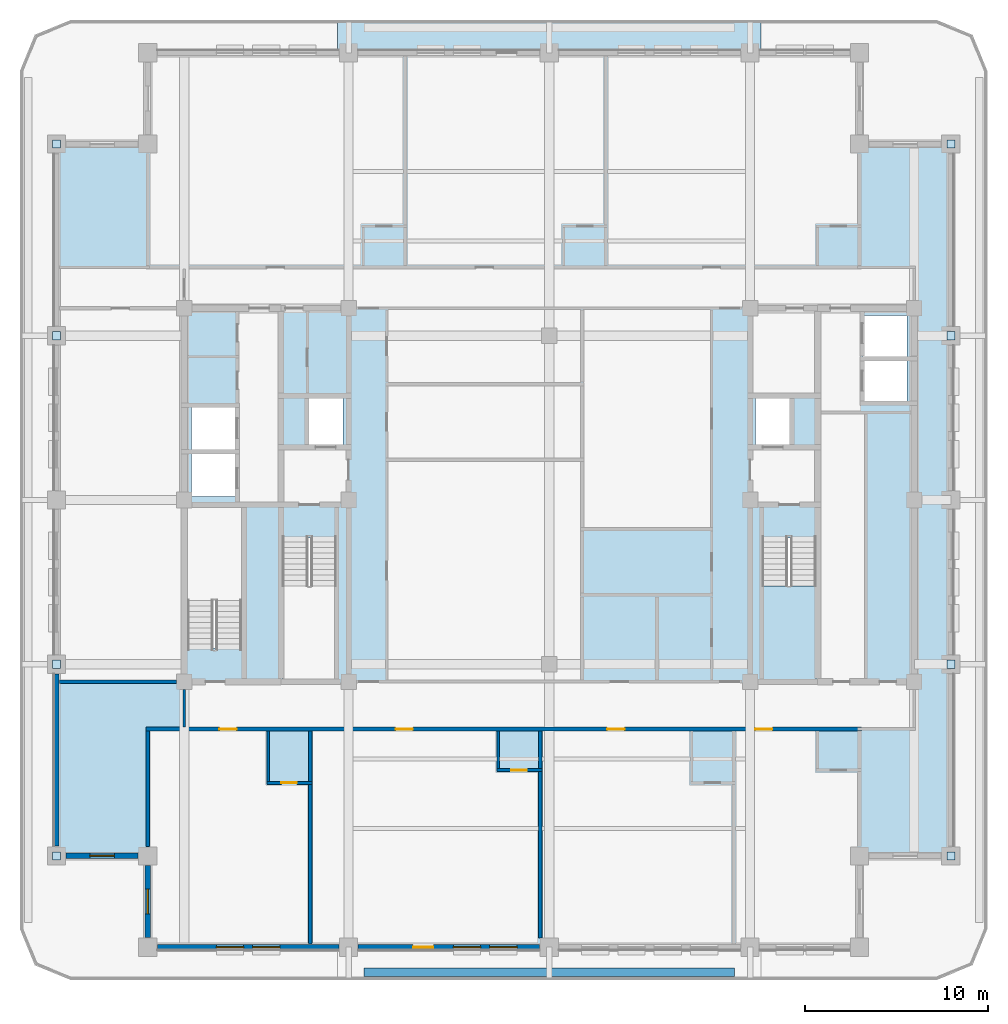
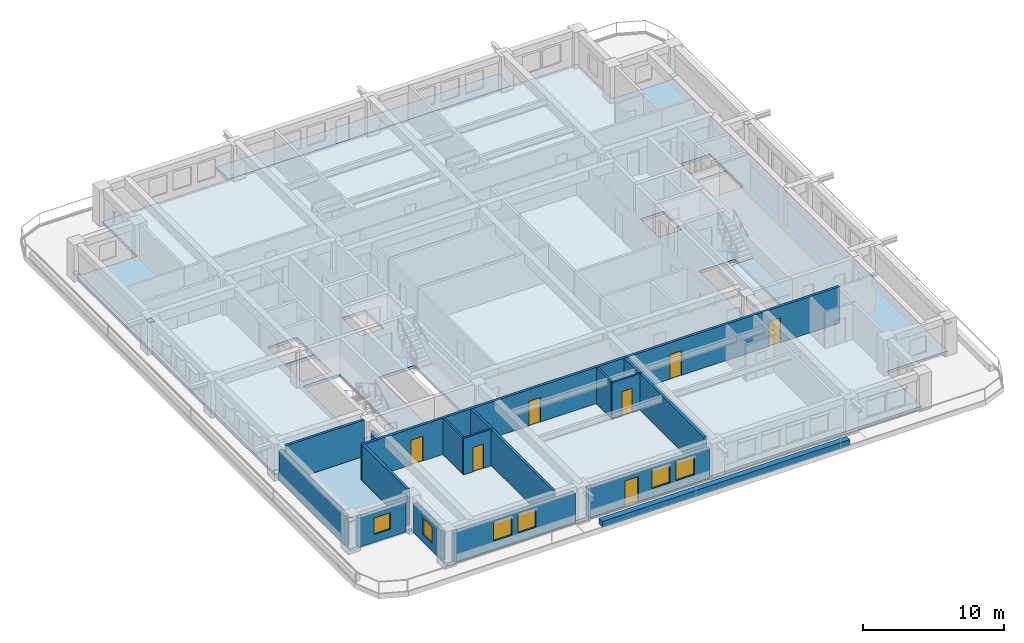
# One storey, part 2 of 14: 18 walls, 8 plates, 7 doors, 6 windows, 3 slabs, 13 openings, 1 element without a shape of its own.
"""IFC4 building model written with IfcOpenShell, lengths in metres."""

import ifcopenshell
import ifcopenshell.guid

model = None  # the IFC model being written
_history = None  # IfcOwnerHistory: only IFC2X3 demands one
_inside = {}  # id of a spatial element -> (the spatial element, [elements in it])
_under = {}  # id of a project, library or spatial element -> (it, [spatial elements below it])
_declared = {}  # id of a project -> (the project, [libraries it declares])
_typed = {}  # id of a type object -> (the type object, [elements of that type])
_made_of = {}  # id of a material, layer set ... -> (it, [elements and type objects made of it])


def new_model(schema):
    """Start an empty IFC model of exactly this schema.

    Asked for "IFC4X3", IfcOpenShell would pick the latest addendum, in which some entities
    have other attributes; the version numbers below select the first issue.
    IFC2X3 requires an IfcOwnerHistory on every rooted entity: one is made here for all.
    """
    global model, _history
    if schema == "IFC4X3":
        model = ifcopenshell.file(schema_version=(4, 3, 0, 0))
    else:
        model = ifcopenshell.file(schema=schema)
    _inside.clear()
    _under.clear()
    _declared.clear()
    _typed.clear()
    _made_of.clear()
    _history = None
    if model.schema == "IFC2X3":
        org = make("IfcOrganization", Name="unknown")
        user = make(
            "IfcPersonAndOrganization",
            ThePerson=make("IfcPerson", FamilyName="unknown"),
            TheOrganization=org,
        )
        app = make(
            "IfcApplication",
            ApplicationDeveloper=org,
            Version="unknown",
            ApplicationFullName="unknown",
            ApplicationIdentifier="unknown",
        )
        _history = make(
            "IfcOwnerHistory",
            OwningUser=user,
            OwningApplication=app,
            ChangeAction="ADDED",
            CreationDate=0,
        )
    return model


def make(cls, **values):
    """One entity of the class cls with the attributes given. An attribute that is None is left unset."""
    return model.create_entity(
        cls, **{name: value for name, value in values.items() if value is not None}
    )


def rooted(cls, **values):
    """An entity with a GlobalId (a new one), such as an element, a storey or a relation."""
    return make(cls, GlobalId=ifcopenshell.guid.new(), OwnerHistory=_history, **values)


def si_unit(unit_type, name, prefix=None):
    """IfcSIUnit, for example si_unit("LENGTHUNIT", "METRE", prefix="MILLI")."""
    return make("IfcSIUnit", UnitType=unit_type, Prefix=prefix, Name=name)


def assignment(units):
    """IfcUnitAssignment: the units of a project."""
    return None if units is None else make("IfcUnitAssignment", Units=units)


def point(xyz):
    """IfcCartesianPoint."""
    return None if xyz is None else make("IfcCartesianPoint", Coordinates=xyz)


def direction(xyz):
    """IfcDirection."""
    return None if xyz is None else make("IfcDirection", DirectionRatios=xyz)


def frame(location, z_axis=None, x_axis=None):
    """IfcAxis2Placement3D, a coordinate frame: its origin and axes. An axis left out is left unset."""
    return make(
        "IfcAxis2Placement3D",
        Location=point(location),
        Axis=direction(z_axis),
        RefDirection=direction(x_axis),
    )


def frame_2d(location, x_axis=None):
    """IfcAxis2Placement2D, a coordinate frame in the plane: its origin and x axis."""
    return make(
        "IfcAxis2Placement2D", Location=point(location), RefDirection=direction(x_axis)
    )


def origin():
    """The frame at (0, 0, 0) with its axes left unset."""
    return frame((0.0, 0.0, 0.0))


def origin_2d():
    """The frame at (0, 0) in the plane with its x axis left unset."""
    return frame_2d((0.0, 0.0))


def place(relative_to, where):
    """IfcLocalPlacement: puts the frame where relative to a parent placement (None: the world)."""
    return make(
        "IfcLocalPlacement", PlacementRelTo=relative_to, RelativePlacement=where
    )


def context(
    kind, dimensions, precision=None, world=None, true_north=None, identifier=None
):
    """IfcGeometricRepresentationContext, for example the 3D "Model" context."""
    return make(
        "IfcGeometricRepresentationContext",
        ContextIdentifier=identifier,
        ContextType=kind,
        CoordinateSpaceDimension=dimensions,
        Precision=precision,
        WorldCoordinateSystem=world,
        TrueNorth=true_north,
    )


def subcontext(parent, identifier, kind, view, scale=None):
    """IfcGeometricRepresentationSubContext, for example "Body" below "Model"."""
    return make(
        "IfcGeometricRepresentationSubContext",
        ContextIdentifier=identifier,
        ContextType=kind,
        ParentContext=parent,
        TargetScale=scale,
        TargetView=view,
    )


def project(units=None, contexts=None):
    """IfcProject with its units and contexts."""
    return rooted(
        "IfcProject",
        Name="project",
        RepresentationContexts=contexts,
        UnitsInContext=assignment(units),
    )


def spatial(cls, under=None, at=None, **own):
    """A site, building, storey or space (cls), placed at a placement, below another one or the project."""
    s = rooted(cls, ObjectPlacement=at, **own)
    if under is not None:
        _under.setdefault(under.id(), (under, []))[1].append(s)
    return s


def polyline(points):
    """IfcPolyline through the points."""
    return make("IfcPolyline", Points=[point(p) for p in points])


def profile(cls, at=None, kind="AREA", **sizes):
    """A parametric profile (cls). Its sizes go by their IFC names, for example OverallWidth=200.0."""
    return make(cls, ProfileType=kind, Position=at, **sizes)


def rectangle(**sizes):
    """IfcRectangleProfileDef."""
    return profile("IfcRectangleProfileDef", **sizes)


def outline(outer, holes=None, kind="AREA"):
    """IfcArbitraryClosedProfileDef: a profile drawn as a closed curve; with holes, ...WithVoids."""
    if holes is None:
        return make("IfcArbitraryClosedProfileDef", ProfileType=kind, OuterCurve=outer)
    return make(
        "IfcArbitraryProfileDefWithVoids",
        ProfileType=kind,
        OuterCurve=outer,
        InnerCurves=holes,
    )


def extrude(swept, where, along, depth):
    """IfcExtrudedAreaSolid: the profile swept, set in the frame where, extruded along a direction by depth."""
    return make(
        "IfcExtrudedAreaSolid",
        SweptArea=swept,
        Position=where,
        ExtrudedDirection=direction(along),
        Depth=depth,
    )


def shape(context_of_items, identifier, shape_type, items):
    """IfcShapeRepresentation: the items that make up one representation, for example the "Body"."""
    return make(
        "IfcShapeRepresentation",
        ContextOfItems=context_of_items,
        RepresentationIdentifier=identifier,
        RepresentationType=shape_type,
        Items=items,
    )


def material(Name=None, Category=None):
    """IfcMaterial."""
    return make("IfcMaterial", Name=Name, Category=Category)


def layer(
    of_material, thickness, ventilated=None, Name=None, Category=None, Priority=None
):
    """IfcMaterialLayer: one layer of a wall or slab, of a material (None: an air gap)."""
    return make(
        "IfcMaterialLayer",
        Material=of_material,
        LayerThickness=thickness,
        IsVentilated=ventilated,
        Name=Name,
        Category=Category,
        Priority=Priority,
    )


def layer_set(layers, Name=None):
    """IfcMaterialLayerSet."""
    return make("IfcMaterialLayerSet", MaterialLayers=layers, LayerSetName=Name)


def made_of(thing, what):
    """Note that an element or type object is made of a material, layer set ...; save() writes the relation."""
    if what is not None:
        _made_of.setdefault(what.id(), (what, []))[1].append(thing)
    return thing


def type_object(cls, material=None, **own):
    """A type object (cls), such as IfcWallType, which elements share."""
    return made_of(rooted(cls, **own), material)


def element(
    cls,
    number,
    at=None,
    inside=None,
    cuts=None,
    type_object=None,
    material=None,
    context=None,
    identifier="Body",
    shape_type=None,
    held_by="IfcProductDefinitionShape",
    body=None,
    shapes=None,
    **own,
):
    """One element of the class cls, such as IfcWall. Its Tag is "e" and its number.

    at: its placement. inside: the storey or other place that contains it. cuts: it is an
    opening in that element (IfcRelVoidsElement). A single representation is given by context,
    identifier, shape_type and body (its items); several are given by shapes. held_by: the class
    of the entity that holds the representations. save() writes the other relations.
    """
    e = rooted(cls, Tag="e%d" % number, ObjectPlacement=at, **own)
    if body is not None:
        shapes = [shape(context, identifier, shape_type, body)]
    if shapes is not None:
        e.Representation = make(held_by, Representations=shapes)
    if inside is not None:
        _inside.setdefault(inside.id(), (inside, []))[1].append(e)
    if cuts is not None:
        rooted(
            "IfcRelVoidsElement", RelatingBuildingElement=cuts, RelatedOpeningElement=e
        )
    if type_object is not None:
        _typed.setdefault(type_object.id(), (type_object, []))[1].append(e)
    return made_of(e, material)


def fill(opening, filler):
    """IfcRelFillsElement: the door or window that sits in an opening."""
    return rooted(
        "IfcRelFillsElement",
        RelatingOpeningElement=opening,
        RelatedBuildingElement=filler,
    )


def aggregate(whole, parts):
    """IfcRelAggregates: a whole, such as a stair, and the parts it consists of."""
    return rooted("IfcRelAggregates", RelatingObject=whole, RelatedObjects=parts)


def save(model, path):
    """Write the relations noted so far, then the file.

    IfcRelAggregates (storeys below a building ...), IfcRelContainedInSpatialStructure (elements
    in a storey), IfcRelDefinesByType, IfcRelAssociatesMaterial and IfcRelDeclares: one each for
    every whole, place, type object, material and project.
    """
    for whole, parts in _under.values():
        aggregate(whole, parts)
    for where, things in _inside.values():
        rooted(
            "IfcRelContainedInSpatialStructure",
            RelatedElements=things,
            RelatingStructure=where,
        )
    for kind, things in _typed.values():
        rooted("IfcRelDefinesByType", RelatedObjects=things, RelatingType=kind)
    for what, things in _made_of.values():
        rooted("IfcRelAssociatesMaterial", RelatedObjects=things, RelatingMaterial=what)
    for by, libraries in _declared.values():
        rooted("IfcRelDeclares", RelatingContext=by, RelatedDefinitions=libraries)
    model.write(path)


model = new_model("IFC4")

# Units and contexts
model_context = context("Model", 3, precision=1e-05, world=origin(), true_north=direction((0.0, 1.0)))
body_context = subcontext(model_context, "Body", "Model", "MODEL_VIEW")
ifc_project = project(units=[si_unit("LENGTHUNIT", "METRE"), si_unit("AREAUNIT", "SQUARE_METRE"), si_unit("VOLUMEUNIT", "CUBIC_METRE"), si_unit("PLANEANGLEUNIT", "RADIAN"), si_unit("MASSUNIT", "GRAM", prefix="KILO")], contexts=[model_context])

# Site, building, storey
site_placement = place(None, origin())
site = spatial("IfcSite", under=ifc_project, at=site_placement, CompositionType="ELEMENT")
building_placement = place(site_placement, origin())
building = spatial("IfcBuilding", under=site, at=building_placement, Name="Zulmaris Gate Convention Tower", CompositionType="ELEMENT")
storey_placement = place(building_placement, frame((0.0, 0.0, 198.260009765625)))
storey = spatial("IfcBuildingStorey", under=building, at=storey_placement, Name="L51", CompositionType="ELEMENT", Elevation=198.260009765625)

# Plates
ifc_material_1 = material(Name="Steel S460", Category="steel")
ifc_layer_1 = layer(ifc_material_1, 0.02490234375, Name="Steel S460")
ifc_layer_set_1 = layer_set([ifc_layer_1], Name="Steel S460")
plate_type = type_object("IfcPlateType", Name="NP-CAP-440", PredefinedType="USERDEFINED", material=ifc_layer_set_1)
for number, where, z_axis, x_axis, name in (
    (1, (-27.0, -9.0, 0.28759765625), (0.0, 0.0, 1.0), (1.0, 0.0, 0.0), "L51 Steel Node Plate PBR-L51-SW-W-CAP"),
    (2, (-27.0, -19.5, 2.517333984375), (0.0, 0.0, 1.0), (1.0, 0.0, 0.0), "L51 Steel Node Plate PBR-L51-SW-W-CAPB"),
    (3, (-27.0, 19.5, 0.28759765625), (0.0, 0.0, 1.0), (1.0, 0.0, 0.0), "L51 Steel Node Plate PBR-L51-NW-W-CAP"),
    (4, (-27.0, 9.0, 2.517333984375), (0.0, 0.0, 1.0), (1.0, 0.0, 0.0), "L51 Steel Node Plate PBR-L51-NW-W-CAPB"),
    (5, (22.0, -9.0, 0.28759765625), (0.0, 0.0, 1.0), (1.0, 0.0, 0.0), "L51 Steel Node Plate PBR-L51-SE-E-CAP"),
    (6, (22.0, -19.5, 2.517333984375), (0.0, 0.0, 1.0), (1.0, 0.0, 0.0), "L51 Steel Node Plate PBR-L51-SE-E-CAPB"),
    (7, (22.0, 19.5, 0.28759765625), (0.0, 0.0, 1.0), (1.0, 0.0, 0.0), "L51 Steel Node Plate PBR-L51-NE-E-CAP"),
    (8, (22.0, 9.0, 2.517333984375), (0.0, 0.0, 1.0), (1.0, 0.0, 0.0), "L51 Steel Node Plate PBR-L51-NE-E-CAPB"),
):
    element("IfcPlate", number, at=place(storey_placement, frame(where, z_axis=z_axis, x_axis=x_axis)), inside=storey, type_object=plate_type, Name=name, ObjectType="FLANGE PLATE", PredefinedType="USERDEFINED", context=body_context, shape_type="SweptSolid", body=[
        extrude(rectangle(XDim=0.43994140625, YDim=0.43994140625, at=origin_2d()), origin(), (0.0, 0.0, 1.0), 0.02490234375),
    ])

# Slabs
ifc_material_2 = material(Name="Precast concrete C50/60", Category="concrete")
ifc_layer_2 = layer(ifc_material_2, 0.239990234375, Name="Precast concrete C50/60")
ifc_layer_set_2 = layer_set([ifc_layer_2], Name="Precast concrete C50/60")
slab_type_1 = type_object("IfcSlabType", Name="SL-BAL-240", PredefinedType="FLOOR", material=ifc_layer_set_2)
slab_1_placement = place(storey_placement, frame((0.0, 0.0, -0.27490234375)))
element("IfcSlab", 9, at=slab_1_placement, inside=storey, type_object=slab_type_1, Name="L51 North Tree-Balcony Planter Slab", PredefinedType="FLOOR", context=body_context, shape_type="SweptSolid", body=[
    extrude(outline(polyline([(11.597900390625, 26.300048828125), (11.597900390625, 24.5), (-11.597900390625, 24.5), (-11.597900390625, 26.300048828125), (11.597900390625, 26.300048828125)])), origin(), (0.0, 0.0, 1.0), 0.239990234375),
])
ifc_material_3 = material(Name="Concrete C50/60", Category="concrete")
ifc_layer_3 = layer(ifc_material_3, 0.25, Name="Concrete C50/60")
ifc_layer_set_3 = layer_set([ifc_layer_3], Name="Concrete C50/60")
slab_type_2 = type_object("IfcSlabType", Name="SL-FLR-250", PredefinedType="FLOOR", material=ifc_layer_set_3)
slab_2_placement = place(storey_placement, frame((0.0, 0.0, -0.25)))
element("IfcSlab", 10, at=slab_2_placement, inside=storey, type_object=slab_type_2, Name="L51 Shifted Notched-Square Structural Floor Slab", PredefinedType="FLOOR", context=body_context, shape_type="SweptSolid", body=[
    extrude(outline(polyline([(-22.0, -24.5), (17.0, -24.5), (17.0, -19.5), (22.0, -19.5), (22.0, 19.5), (17.0, 19.5), (17.0, 24.5), (-22.0, 24.5), (-22.0, 19.5), (-27.0, 19.5), (-27.0, -19.5), (-22.0, -19.5), (-22.0, -24.5)]), holes=[polyline([(-14.6201171875, -2.080078125), (-14.6201171875, -9.85009765625), (-11.659912109375, -9.85009765625), (-11.659912109375, -2.080078125), (-14.6201171875, -2.080078125)]), polyline([(11.659912109375, -2.080078125), (11.659912109375, -9.85009765625), (14.6201171875, -9.85009765625), (14.6201171875, -2.080078125), (11.659912109375, -2.080078125)]), polyline([(-16.860107421875, -8.1201171875), (-16.860107421875, -0.35009765625), (-19.820068359375, -0.35009765625), (-19.820068359375, -8.1201171875), (-16.860107421875, -8.1201171875)]), polyline([(-13.199951171875, 3.0), (-11.300048828125, 3.0), (-11.300048828125, 5.60009765625), (-13.199951171875, 5.60009765625), (-13.199951171875, 3.0)]), polyline([(11.300048828125, 3.0), (13.199951171875, 3.0), (13.199951171875, 5.60009765625), (11.300048828125, 5.60009765625), (11.300048828125, 3.0)]), polyline([(17.199951171875, 5.39990234375), (19.60009765625, 5.39990234375), (19.60009765625, 7.699951171875), (17.199951171875, 7.699951171875), (17.199951171875, 5.39990234375)]), polyline([(17.199951171875, 7.800048828125), (19.60009765625, 7.800048828125), (19.60009765625, 10.10009765625), (17.199951171875, 10.10009765625), (17.199951171875, 7.800048828125)]), polyline([(-19.60009765625, 0.199951171875), (-17.199951171875, 0.199951171875), (-17.199951171875, 2.60009765625), (-19.60009765625, 2.60009765625), (-19.60009765625, 0.199951171875)]), polyline([(-19.60009765625, 2.699951171875), (-17.199951171875, 2.699951171875), (-17.199951171875, 5.10009765625), (-19.60009765625, 5.10009765625), (-19.60009765625, 2.699951171875)])]), origin(), (0.0, 0.0, 1.0), 0.25),
])

# Stair, slab
ifc_material_4 = material(Name="Concrete C45/55", Category="concrete")
stair_type = type_object("IfcStairType", Name="ST-CORE-DOGLEG", PredefinedType="HALF_TURN_STAIR", material=ifc_material_4)
stair_placement = place(storey_placement, origin())
stair = element("IfcStair", 11, at=stair_placement, inside=storey, type_object=stair_type, Name="L51 Core Exit Stair ST-2", PredefinedType="HALF_TURN_STAIR")
ifc_layer_4 = layer(ifc_material_4, 0.199951171875, Name="Concrete C45/55")
ifc_layer_set_4 = layer_set([ifc_layer_4], Name="Concrete C45/55")
slab_type_3 = type_object("IfcSlabType", Name="SL-LND-200", PredefinedType="LANDING", material=ifc_layer_set_4)
slab_3_placement = place(storey_placement, frame((0.0, 0.0, 1.5)))
slab_3 = element("IfcSlab", 12, at=slab_3_placement, type_object=slab_type_3, Name="ST-2 landing 1", PredefinedType="LANDING", context=body_context, shape_type="SweptSolid", body=[
    extrude(outline(polyline([(11.659912109375, -4.699951171875), (11.659912109375, -9.85009765625), (14.6201171875, -9.85009765625), (14.6201171875, -4.699951171875), (11.659912109375, -4.699951171875)])), origin(), (0.0, 0.0, 1.0), 0.199951171875),
])
aggregate(stair, [slab_3])

# Wall, opening, door
ifc_material_5 = material(Name="Gypsum Metal Stud Partition")
ifc_layer_5 = layer(ifc_material_5, 0.14990234375, Name="Gypsum Metal Stud Partition")
ifc_layer_set_5 = layer_set([ifc_layer_5], Name="Gypsum Metal Stud Partition")
wall_type_1 = type_object("IfcWallType", Name="PART-150", PredefinedType="PARTITIONING", material=ifc_layer_set_5)
wall_1_placement = place(storey_placement, frame((-15.47509765625, -15.5, 0.0), z_axis=(0.0, 0.0, 1.0), x_axis=(1.0, 0.0, 0.0)))
wall_1 = element("IfcWall", 13, at=wall_1_placement, inside=storey, type_object=wall_type_1, Name="WL-L51-019", PredefinedType="PARTITIONING", context=body_context, shape_type="SweptSolid", body=[
    extrude(rectangle(XDim=2.47509765625, YDim=0.14990234375, at=frame_2d((1.237548828125, 0.0))), origin(), (0.0, 0.0, 1.0), 3.14990234375),
])
opening_1_placement = place(wall_1_placement, frame((0.800048828125, 0.0, 0.0)))
opening_1 = element("IfcOpeningElement", 14, at=opening_1_placement, cuts=wall_1, Name="Opening D-17", PredefinedType="OPENING", context=body_context, shape_type="SweptSolid", body=[
    extrude(rectangle(XDim=0.85009765625, YDim=2.10009765625, at=frame_2d((0.425048828125, 1.050048828125))), frame((0.0, 0.0849609375, 0.0), z_axis=(0.0, -1.0, 0.0), x_axis=(1.0, 0.0, 0.0)), (0.0, 0.0, 1.0), 0.169921875),
])
ifc_material_6 = material(Name="Moisture-Resistant Hardwood Timber", Category="wood")
door_type_1 = type_object("IfcDoorType", Name="DR-850", OperationType="NOTDEFINED", PredefinedType="DOOR", material=ifc_material_6)
door_1_placement = place(opening_1_placement, origin())
door_1 = element("IfcDoor", 15, at=door_1_placement, inside=storey, type_object=door_type_1, Name="L51 En-Suite Door 32", OperationType="SINGLE_SWING_LEFT", OverallHeight=2.10009765625, OverallWidth=0.85009765625, PredefinedType="DOOR", context=body_context, shape_type="SweptSolid", body=[
    extrude(rectangle(XDim=0.85009765625, YDim=2.10009765625, at=frame_2d((0.425048828125, 1.050048828125))), frame((0.0, 0.02490234375, 0.0), z_axis=(0.0, -1.0, 0.0), x_axis=(1.0, 0.0, 0.0)), (0.0, 0.0, 1.0), 0.050048828125),
])
fill(opening_1, door_1)

wall_2_placement = place(storey_placement, frame((-2.875, -14.800048828125, 0.0), z_axis=(0.0, 0.0, 1.0), x_axis=(1.0, 0.0, 0.0)))
wall_2 = element("IfcWall", 16, at=wall_2_placement, inside=storey, type_object=wall_type_1, Name="WL-L51-021", PredefinedType="PARTITIONING", context=body_context, shape_type="SweptSolid", body=[
    extrude(rectangle(XDim=2.47509765625, YDim=0.14990234375, at=frame_2d((1.237548828125, 0.0))), origin(), (0.0, 0.0, 1.0), 3.14990234375),
])
opening_2_placement = place(wall_2_placement, frame((0.800048828125, 0.0, 0.0)))
opening_2 = element("IfcOpeningElement", 17, at=opening_2_placement, cuts=wall_2, Name="Opening D-17", PredefinedType="OPENING", context=body_context, shape_type="SweptSolid", body=[
    extrude(rectangle(XDim=0.85009765625, YDim=2.10009765625, at=frame_2d((0.425048828125, 1.050048828125))), frame((0.0, 0.0849609375, 0.0), z_axis=(0.0, -1.0, 0.0), x_axis=(1.0, 0.0, 0.0)), (0.0, 0.0, 1.0), 0.169921875),
])
door_2_placement = place(opening_2_placement, origin())
door_2 = element("IfcDoor", 18, at=door_2_placement, inside=storey, type_object=door_type_1, Name="L51 En-Suite Door 34", OperationType="SINGLE_SWING_LEFT", OverallHeight=2.10009765625, OverallWidth=0.85009765625, PredefinedType="DOOR", context=body_context, shape_type="SweptSolid", body=[
    extrude(rectangle(XDim=0.85009765625, YDim=2.10009765625, at=frame_2d((0.425048828125, 1.050048828125))), frame((0.0, 0.02490234375, 0.0), z_axis=(0.0, -1.0, 0.0), x_axis=(1.0, 0.0, 0.0)), (0.0, 0.0, 1.0), 0.050048828125),
])
fill(opening_2, door_2)

# Walls
wall_3_placement = place(storey_placement, frame((-20.0, -12.447021484375, 0.0), z_axis=(0.0, 0.0, 1.0), x_axis=(0.0, 1.0, 0.0)))
element("IfcWall", 19, at=wall_3_placement, inside=storey, type_object=wall_type_1, Name="WL-L51-075", PredefinedType="PARTITIONING", context=body_context, shape_type="SweptSolid", body=[
    extrude(rectangle(XDim=2.06591796875, YDim=0.14990234375, at=frame_2d((1.032958984375, 0.0))), origin(), (0.0, 0.0, 1.0), 2.341796875),
])
wall_4_placement = place(storey_placement, frame((-15.39990234375, -15.422119140625, 0.0), z_axis=(0.0, 0.0, 1.0), x_axis=(0.0, 1.0, 0.0)))
element("IfcWall", 20, at=wall_4_placement, inside=storey, type_object=wall_type_1, Name="WL-L51-079", PredefinedType="PARTITIONING", context=body_context, shape_type="SweptSolid", body=[
    extrude(rectangle(XDim=2.76904296875, YDim=0.14990234375, at=frame_2d((1.384521484375, 0.0))), origin(), (0.0, 0.0, 1.0), 3.14990234375),
])
wall_5_placement = place(storey_placement, frame((-2.800048828125, -14.721923828125, 0.0), z_axis=(0.0, 0.0, 1.0), x_axis=(0.0, 1.0, 0.0)))
element("IfcWall", 21, at=wall_5_placement, inside=storey, type_object=wall_type_1, Name="WL-L51-089", PredefinedType="PARTITIONING", context=body_context, shape_type="SweptSolid", body=[
    extrude(rectangle(XDim=2.06884765625, YDim=0.14990234375, at=frame_2d((1.034423828125, 0.0))), origin(), (0.0, 0.0, 1.0), 3.14990234375),
])

# Wall, openings, doors
ifc_material_7 = material(Name="Autoclaved Aerated Concrete Block and Plasterboard", Category="concrete")
ifc_layer_6 = layer(ifc_material_7, 0.199951171875, Name="Autoclaved Aerated Concrete Block and Plasterboard")
ifc_layer_set_6 = layer_set([ifc_layer_6], Name="Autoclaved Aerated Concrete Block and Plasterboard")
wall_type_2 = type_object("IfcWallType", Name="PART-200", PredefinedType="PARTITIONING", material=ifc_layer_set_6)
wall_6_placement = place(storey_placement, frame((-22.10009765625, -12.550048828125, 0.0), z_axis=(0.0, 0.0, 1.0), x_axis=(1.0, 0.0, 0.0)))
wall_6 = element("IfcWall", 22, at=wall_6_placement, inside=storey, type_object=wall_type_2, Name="WL-L51-023", PredefinedType="PARTITIONING", context=body_context, shape_type="SweptSolid", body=[
    extrude(rectangle(XDim=39.2001953125, YDim=0.199951171875, at=frame_2d((19.60009765625, 0.0))), origin(), (0.0, 0.0, 1.0), 3.14990234375),
])
opening_3_placement = place(wall_6_placement, frame((4.02490234375, 0.0, 0.0)))
opening_3 = element("IfcOpeningElement", 23, at=opening_3_placement, cuts=wall_6, Name="Opening D-11", PredefinedType="OPENING", context=body_context, shape_type="SweptSolid", body=[
    extrude(rectangle(XDim=0.949951171875, YDim=2.14990234375, at=frame_2d((0.47509765625, 1.074951171875))), frame((0.0, 0.10986328125, 0.0), z_axis=(0.0, -1.0, 0.0), x_axis=(1.0, 0.0, 0.0)), (0.0, 0.0, 1.0), 0.219970703125),
])
opening_4_placement = place(wall_6_placement, frame((13.675048828125, 0.0, 0.0)))
opening_4 = element("IfcOpeningElement", 24, at=opening_4_placement, cuts=wall_6, Name="Opening D-11", PredefinedType="OPENING", context=body_context, shape_type="SweptSolid", body=[
    extrude(rectangle(XDim=0.949951171875, YDim=2.14990234375, at=frame_2d((0.47509765625, 1.074951171875))), frame((0.0, 0.10986328125, 0.0), z_axis=(0.0, -1.0, 0.0), x_axis=(1.0, 0.0, 0.0)), (0.0, 0.0, 1.0), 0.219970703125),
])
opening_5_placement = place(wall_6_placement, frame((25.27490234375, 0.0, 0.0)))
opening_5 = element("IfcOpeningElement", 25, at=opening_5_placement, cuts=wall_6, Name="Opening D-11", PredefinedType="OPENING", context=body_context, shape_type="SweptSolid", body=[
    extrude(rectangle(XDim=0.949951171875, YDim=2.14990234375, at=frame_2d((0.47509765625, 1.074951171875))), frame((0.0, 0.10986328125, 0.0), z_axis=(0.0, -1.0, 0.0), x_axis=(1.0, 0.0, 0.0)), (0.0, 0.0, 1.0), 0.219970703125),
])
opening_6_placement = place(wall_6_placement, frame((33.375, 0.0, 0.0)))
opening_6 = element("IfcOpeningElement", 26, at=opening_6_placement, cuts=wall_6, Name="Opening D-11", PredefinedType="OPENING", context=body_context, shape_type="SweptSolid", body=[
    extrude(rectangle(XDim=0.949951171875, YDim=2.14990234375, at=frame_2d((0.47509765625, 1.074951171875))), frame((0.0, 0.10986328125, 0.0), z_axis=(0.0, -1.0, 0.0), x_axis=(1.0, 0.0, 0.0)), (0.0, 0.0, 1.0), 0.219970703125),
])
ifc_material_8 = material(Name="Fire-Rated Timber", Category="wood")
door_type_2 = type_object("IfcDoorType", Name="DR-950-FD", OperationType="NOTDEFINED", PredefinedType="DOOR", material=ifc_material_8)
door_3_placement = place(opening_3_placement, origin())
door_3 = element("IfcDoor", 27, at=door_3_placement, inside=storey, type_object=door_type_2, Name="L51 Hotel Executive Suite Door 31", OperationType="SINGLE_SWING_RIGHT", OverallHeight=2.14990234375, OverallWidth=0.949951171875, PredefinedType="DOOR", context=body_context, shape_type="SweptSolid", body=[
    extrude(rectangle(XDim=0.949951171875, YDim=2.14990234375, at=frame_2d((0.47509765625, 1.074951171875))), frame((0.0, 0.02490234375, 0.0), z_axis=(0.0, -1.0, 0.0), x_axis=(1.0, 0.0, 0.0)), (0.0, 0.0, 1.0), 0.050048828125),
])
fill(opening_3, door_3)
door_4_placement = place(opening_4_placement, origin())
door_4 = element("IfcDoor", 28, at=door_4_placement, inside=storey, type_object=door_type_2, Name="L51 Hotel Executive Suite Door 33", OperationType="SINGLE_SWING_RIGHT", OverallHeight=2.14990234375, OverallWidth=0.949951171875, PredefinedType="DOOR", context=body_context, shape_type="SweptSolid", body=[
    extrude(rectangle(XDim=0.949951171875, YDim=2.14990234375, at=frame_2d((0.47509765625, 1.074951171875))), frame((0.0, 0.02490234375, 0.0), z_axis=(0.0, -1.0, 0.0), x_axis=(1.0, 0.0, 0.0)), (0.0, 0.0, 1.0), 0.050048828125),
])
fill(opening_4, door_4)
door_5_placement = place(opening_5_placement, origin())
door_5 = element("IfcDoor", 29, at=door_5_placement, inside=storey, type_object=door_type_2, Name="L51 Hotel Executive Suite Door 35", OperationType="SINGLE_SWING_RIGHT", OverallHeight=2.14990234375, OverallWidth=0.949951171875, PredefinedType="DOOR", context=body_context, shape_type="SweptSolid", body=[
    extrude(rectangle(XDim=0.949951171875, YDim=2.14990234375, at=frame_2d((0.47509765625, 1.074951171875))), frame((0.0, 0.02490234375, 0.0), z_axis=(0.0, -1.0, 0.0), x_axis=(1.0, 0.0, 0.0)), (0.0, 0.0, 1.0), 0.050048828125),
])
fill(opening_5, door_5)
door_6_placement = place(opening_6_placement, origin())
door_6 = element("IfcDoor", 30, at=door_6_placement, inside=storey, type_object=door_type_2, Name="L51 Hotel Executive Suite Door 37", OperationType="SINGLE_SWING_RIGHT", OverallHeight=2.14990234375, OverallWidth=0.949951171875, PredefinedType="DOOR", context=body_context, shape_type="SweptSolid", body=[
    extrude(rectangle(XDim=0.949951171875, YDim=2.14990234375, at=frame_2d((0.47509765625, 1.074951171875))), frame((0.0, 0.02490234375, 0.0), z_axis=(0.0, -1.0, 0.0), x_axis=(1.0, 0.0, 0.0)), (0.0, 0.0, 1.0), 0.050048828125),
])
fill(opening_6, door_6)

# Walls
wall_7_placement = place(storey_placement, frame((-26.8349609375, -9.949951171875, 0.0), z_axis=(0.0, 0.0, 1.0), x_axis=(1.0, 0.0, 0.0)))
element("IfcWall", 31, at=wall_7_placement, inside=storey, type_object=wall_type_2, Name="WL-L51-025", PredefinedType="PARTITIONING", context=body_context, shape_type="SweptSolid", body=[
    extrude(rectangle(XDim=6.404052734375, YDim=0.199951171875, at=frame_2d((3.2021484375, 0.0))), origin(), (0.0, 0.0, 1.0), 3.14990234375),
])
wall_8_placement = place(storey_placement, frame((-22.0, -18.993896484375, 0.0), z_axis=(0.0, 0.0, 1.0), x_axis=(0.0, 1.0, 0.0)))
element("IfcWall", 32, at=wall_8_placement, inside=storey, type_object=wall_type_2, Name="WL-L51-073", PredefinedType="PARTITIONING", context=body_context, shape_type="SweptSolid", body=[
    extrude(rectangle(XDim=6.3408203125, YDim=0.199951171875, at=frame_2d((3.17041015625, 0.0))), origin(), (0.0, 0.0, 1.0), 3.14990234375),
])
wall_9_placement = place(storey_placement, frame((-13.10009765625, -24.3349609375, 0.0), z_axis=(0.0, 0.0, 1.0), x_axis=(0.0, 1.0, 0.0)))
element("IfcWall", 33, at=wall_9_placement, inside=storey, type_object=wall_type_2, Name="WL-L51-081", PredefinedType="PARTITIONING", context=body_context, shape_type="SweptSolid", body=[
    extrude(rectangle(XDim=8.757080078125, YDim=0.199951171875, at=frame_2d((4.37841796875, 0.0))), origin(), (0.0, 0.0, 1.0), 3.14990234375),
])
wall_10_placement = place(storey_placement, frame((-13.10009765625, -15.422119140625, 0.0), z_axis=(0.0, 0.0, 1.0), x_axis=(0.0, 1.0, 0.0)))
element("IfcWall", 34, at=wall_10_placement, inside=storey, type_object=wall_type_2, Name="WL-L51-082", PredefinedType="PARTITIONING", context=body_context, shape_type="SweptSolid", body=[
    extrude(rectangle(XDim=2.76904296875, YDim=0.199951171875, at=frame_2d((1.384521484375, 0.0))), origin(), (0.0, 0.0, 1.0), 3.14990234375),
])
wall_11_placement = place(storey_placement, frame((-0.5, -23.993896484375, 0.0), z_axis=(0.0, 0.0, 1.0), x_axis=(0.0, 1.0, 0.0)))
element("IfcWall", 35, at=wall_11_placement, inside=storey, type_object=wall_type_2, Name="WL-L51-090", PredefinedType="PARTITIONING", context=body_context, shape_type="SweptSolid", body=[
    extrude(rectangle(XDim=9.115966796875, YDim=0.199951171875, at=frame_2d((4.55810546875, 0.0))), origin(), (0.0, 0.0, 1.0), 3.14990234375),
])
wall_12_placement = place(storey_placement, frame((-0.5, -14.721923828125, 0.0), z_axis=(0.0, 0.0, 1.0), x_axis=(0.0, 1.0, 0.0)))
element("IfcWall", 36, at=wall_12_placement, inside=storey, type_object=wall_type_2, Name="WL-L51-091", PredefinedType="PARTITIONING", context=body_context, shape_type="SweptSolid", body=[
    extrude(rectangle(XDim=2.06884765625, YDim=0.199951171875, at=frame_2d((1.034423828125, 0.0))), origin(), (0.0, 0.0, 1.0), 3.14990234375),
])
ifc_material_9 = material(Name="Botanical Green Glazed Precast Concrete C40/50", Category="concrete")
ifc_layer_7 = layer(ifc_material_9, 0.419921875, Name="Botanical Green Glazed Precast Concrete C40/50")
ifc_layer_set_7 = layer_set([ifc_layer_7], Name="Botanical Green Glazed Precast Concrete C40/50")
wall_type_3 = type_object("IfcWallType", Name="PLANTER-CURB-200", PredefinedType="PARAPET", material=ifc_layer_set_7)
wall_13_placement = place(storey_placement, frame((-10.14990234375, -25.8798828125, -0.0400390625), z_axis=(0.0, 0.0, 1.0), x_axis=(1.0, 0.0, 0.0)))
element("IfcWall", 37, at=wall_13_placement, inside=storey, type_object=wall_type_3, Name="L51 Full-Length Balcony Tree Planter Trough", PredefinedType="PARAPET", context=body_context, shape_type="SweptSolid", body=[
    extrude(rectangle(XDim=20.2998046875, YDim=0.47998046875, at=frame_2d((10.14990234375, 0.0))), origin(), (0.0, 0.0, 1.0), 0.52001953125),
])

# Wall, opening, window
ifc_material_10 = material(Name="Precast concrete C40/50", Category="concrete")
ifc_layer_8 = layer(ifc_material_10, 0.300048828125, Name="Precast concrete C40/50")
ifc_layer_set_8 = layer_set([ifc_layer_8], Name="Precast concrete C40/50")
wall_type_4 = type_object("IfcWallType", Name="PRECAST-PIER-300", PredefinedType="STANDARD", material=ifc_layer_set_8)
wall_14_placement = place(storey_placement, frame((-26.469970703125, -19.5, 0.0), z_axis=(0.0, 0.0, 1.0), x_axis=(1.0, 0.0, 0.0)))
wall_14 = element("IfcWall", 38, at=wall_14_placement, inside=storey, type_object=wall_type_4, Name="EW-L51-NOTCH-SW1_0", PredefinedType="STANDARD", context=body_context, shape_type="SweptSolid", body=[
    extrude(rectangle(XDim=3.93994140625, YDim=0.300048828125, at=frame_2d((1.969970703125, 0.0))), origin(), (0.0, 0.0, 1.0), 2.5419921875),
])
opening_7_placement = place(wall_14_placement, frame((1.294921875, 0.0, 0.679931640625)))
opening_7 = element("IfcOpeningElement", 39, at=opening_7_placement, cuts=wall_14, Name="Opening W-10", PredefinedType="OPENING", context=body_context, shape_type="SweptSolid", body=[
    extrude(rectangle(XDim=1.35009765625, YDim=1.419921875, at=frame_2d((0.675048828125, 0.7099609375))), frame((0.0, 0.16015625, 0.0), z_axis=(0.0, -1.0, 0.0), x_axis=(1.0, 0.0, 0.0)), (0.0, 0.0, 1.0), 0.320068359375),
])
ifc_material_11 = material(Name="Low-E Laminated Double Glazing in Aluminium Frame", Category="aluminium")
window_type_1 = type_object("IfcWindowType", Name="WIN-1350x2000", PartitioningType="SINGLE_PANEL", PredefinedType="WINDOW", material=ifc_material_11)
window_1_placement = place(opening_7_placement, origin())
window_1 = element("IfcWindow", 40, at=window_1_placement, inside=storey, type_object=window_type_1, Name="WN-EW-L51-NOTCH-SW1_0", OverallHeight=1.419921875, OverallWidth=1.35009765625, PartitioningType="SINGLE_PANEL", PredefinedType="WINDOW", context=body_context, shape_type="SweptSolid", body=[
    extrude(rectangle(XDim=1.35009765625, YDim=1.419921875, at=frame_2d((0.675048828125, 0.7099609375))), frame((0.0, 0.030029296875, 0.0), z_axis=(0.0, -1.0, 0.0), x_axis=(1.0, 0.0, 0.0)), (0.0, 0.0, 1.0), 0.06005859375),
])
fill(opening_7, window_1)

wall_15_placement = place(storey_placement, frame((-22.0, -20.030029296875, 0.0), z_axis=(0.0, 0.0, 1.0), x_axis=(0.0, -1.0, 0.0)))
wall_15 = element("IfcWall", 41, at=wall_15_placement, inside=storey, type_object=wall_type_4, Name="EW-L51-NOTCH-SW2_0", PredefinedType="STANDARD", context=body_context, shape_type="SweptSolid", body=[
    extrude(rectangle(XDim=3.93994140625, YDim=0.300048828125, at=frame_2d((1.969970703125, 0.0))), origin(), (0.0, 0.0, 1.0), 2.5419921875),
])
opening_8_placement = place(wall_15_placement, frame((1.294921875, 0.0, 0.679931640625)))
opening_8 = element("IfcOpeningElement", 42, at=opening_8_placement, cuts=wall_15, Name="Opening W-10", PredefinedType="OPENING", context=body_context, shape_type="SweptSolid", body=[
    extrude(rectangle(XDim=1.35009765625, YDim=1.419921875, at=frame_2d((0.675048828125, 0.7099609375))), frame((0.0, 0.16015625, 0.0), z_axis=(0.0, -1.0, 0.0), x_axis=(1.0, 0.0, 0.0)), (0.0, 0.0, 1.0), 0.320068359375),
])
window_2_placement = place(opening_8_placement, origin())
window_2 = element("IfcWindow", 43, at=window_2_placement, inside=storey, type_object=window_type_1, Name="WN-EW-L51-NOTCH-SW2_0", OverallHeight=1.419921875, OverallWidth=1.35009765625, PartitioningType="SINGLE_PANEL", PredefinedType="WINDOW", context=body_context, shape_type="SweptSolid", body=[
    extrude(rectangle(XDim=1.35009765625, YDim=1.419921875, at=frame_2d((0.675048828125, 0.7099609375))), frame((0.0, 0.030029296875, 0.0), z_axis=(0.0, -1.0, 0.0), x_axis=(1.0, 0.0, 0.0)), (0.0, 0.0, 1.0), 0.06005859375),
])
fill(opening_8, window_2)

# Wall, openings, windows
wall_16_placement = place(storey_placement, frame((-21.469970703125, -24.5, 0.0), z_axis=(0.0, 0.0, 1.0), x_axis=(1.0, 0.0, 0.0)))
wall_16 = element("IfcWall", 44, at=wall_16_placement, inside=storey, type_object=wall_type_4, Name="EW-L51-S-0_0", PredefinedType="STANDARD", context=body_context, shape_type="SweptSolid", body=[
    extrude(rectangle(XDim=9.93994140625, YDim=0.300048828125, at=frame_2d((4.969970703125, 0.0))), origin(), (0.0, 0.0, 1.0), 2.5419921875),
])
opening_9_placement = place(wall_16_placement, frame((3.22607421875, 0.0, 0.719970703125)))
opening_9 = element("IfcOpeningElement", 45, at=opening_9_placement, cuts=wall_16, Name="Opening W-03", PredefinedType="OPENING", context=body_context, shape_type="SweptSolid", body=[
    extrude(rectangle(XDim=1.5, YDim=1.60009765625, at=frame_2d((0.75, 0.800048828125))), frame((0.0, 0.16015625, 0.0), z_axis=(0.0, -1.0, 0.0), x_axis=(1.0, 0.0, 0.0)), (0.0, 0.0, 1.0), 0.320068359375),
])
opening_10_placement = place(wall_16_placement, frame((5.214111328125, 0.0, 0.719970703125)))
opening_10 = element("IfcOpeningElement", 46, at=opening_10_placement, cuts=wall_16, Name="Opening W-03", PredefinedType="OPENING", context=body_context, shape_type="SweptSolid", body=[
    extrude(rectangle(XDim=1.5, YDim=1.60009765625, at=frame_2d((0.75, 0.800048828125))), frame((0.0, 0.16015625, 0.0), z_axis=(0.0, -1.0, 0.0), x_axis=(1.0, 0.0, 0.0)), (0.0, 0.0, 1.0), 0.320068359375),
])
window_type_2 = type_object("IfcWindowType", Name="WIN-1500x2100", PartitioningType="SINGLE_PANEL", PredefinedType="WINDOW", material=ifc_material_11)
window_3_placement = place(opening_9_placement, origin())
window_3 = element("IfcWindow", 47, at=window_3_placement, inside=storey, type_object=window_type_2, Name="WN-EW-L51-S-0_0-2", OverallHeight=1.60009765625, OverallWidth=1.5, PartitioningType="SINGLE_PANEL", PredefinedType="WINDOW", context=body_context, shape_type="SweptSolid", body=[
    extrude(rectangle(XDim=1.5, YDim=1.60009765625, at=frame_2d((0.75, 0.800048828125))), frame((0.0, 0.030029296875, 0.0), z_axis=(0.0, -1.0, 0.0), x_axis=(1.0, 0.0, 0.0)), (0.0, 0.0, 1.0), 0.06005859375),
])
fill(opening_9, window_3)
window_4_placement = place(opening_10_placement, origin())
window_4 = element("IfcWindow", 48, at=window_4_placement, inside=storey, type_object=window_type_2, Name="WN-EW-L51-S-0_0-3", OverallHeight=1.60009765625, OverallWidth=1.5, PartitioningType="SINGLE_PANEL", PredefinedType="WINDOW", context=body_context, shape_type="SweptSolid", body=[
    extrude(rectangle(XDim=1.5, YDim=1.60009765625, at=frame_2d((0.75, 0.800048828125))), frame((0.0, 0.030029296875, 0.0), z_axis=(0.0, -1.0, 0.0), x_axis=(1.0, 0.0, 0.0)), (0.0, 0.0, 1.0), 0.06005859375),
])
fill(opening_10, window_4)

# Wall, openings, door, windows
wall_17_placement = place(storey_placement, frame((-10.469970703125, -24.5, 0.0), z_axis=(0.0, 0.0, 1.0), x_axis=(1.0, 0.0, 0.0)))
wall_17 = element("IfcWall", 49, at=wall_17_placement, inside=storey, type_object=wall_type_4, Name="EW-L51-S-1_0", PredefinedType="STANDARD", context=body_context, shape_type="SweptSolid", body=[
    extrude(rectangle(XDim=9.93994140625, YDim=0.300048828125, at=frame_2d((4.969970703125, 0.0))), origin(), (0.0, 0.0, 1.0), 2.5419921875),
])
opening_11_placement = place(wall_17_placement, frame((3.012939453125, 0.0, 0.0)))
opening_11 = element("IfcOpeningElement", 50, at=opening_11_placement, cuts=wall_17, Name="Opening D-04", PredefinedType="OPENING", context=body_context, shape_type="SweptSolid", body=[
    extrude(rectangle(XDim=1.10009765625, YDim=2.14990234375, at=frame_2d((0.550048828125, 1.074951171875))), frame((0.0, 0.16015625, 0.0), z_axis=(0.0, -1.0, 0.0), x_axis=(1.0, 0.0, 0.0)), (0.0, 0.0, 1.0), 0.320068359375),
])
opening_12_placement = place(wall_17_placement, frame((5.214111328125, 0.0, 0.719970703125)))
opening_12 = element("IfcOpeningElement", 51, at=opening_12_placement, cuts=wall_17, Name="Opening W-03", PredefinedType="OPENING", context=body_context, shape_type="SweptSolid", body=[
    extrude(rectangle(XDim=1.5, YDim=1.60009765625, at=frame_2d((0.75, 0.800048828125))), frame((0.0, 0.16015625, 0.0), z_axis=(0.0, -1.0, 0.0), x_axis=(1.0, 0.0, 0.0)), (0.0, 0.0, 1.0), 0.320068359375),
])
opening_13_placement = place(wall_17_placement, frame((7.201904296875, 0.0, 0.719970703125)))
opening_13 = element("IfcOpeningElement", 52, at=opening_13_placement, cuts=wall_17, Name="Opening W-03", PredefinedType="OPENING", context=body_context, shape_type="SweptSolid", body=[
    extrude(rectangle(XDim=1.5, YDim=1.60009765625, at=frame_2d((0.75, 0.800048828125))), frame((0.0, 0.16015625, 0.0), z_axis=(0.0, -1.0, 0.0), x_axis=(1.0, 0.0, 0.0)), (0.0, 0.0, 1.0), 0.320068359375),
])
ifc_material_12 = material(Name="Anodised Aluminium and Laminated Glass", Category="aluminium")
door_type_3 = type_object("IfcDoorType", Name="ED-1100", OperationType="SINGLE_SWING_RIGHT", PredefinedType="DOOR", material=ifc_material_12)
door_7_placement = place(opening_11_placement, origin())
door_7 = element("IfcDoor", 53, at=door_7_placement, inside=storey, type_object=door_type_3, Name="L51 S Planted Terrace Door", OperationType="SINGLE_SWING_RIGHT", OverallHeight=2.14990234375, OverallWidth=1.10009765625, PredefinedType="DOOR", context=body_context, shape_type="SweptSolid", body=[
    extrude(rectangle(XDim=1.10009765625, YDim=2.14990234375, at=frame_2d((0.550048828125, 1.074951171875))), frame((0.0, 0.02490234375, 0.0), z_axis=(0.0, -1.0, 0.0), x_axis=(1.0, 0.0, 0.0)), (0.0, 0.0, 1.0), 0.050048828125),
])
fill(opening_11, door_7)
window_5_placement = place(opening_12_placement, origin())
window_5 = element("IfcWindow", 54, at=window_5_placement, inside=storey, type_object=window_type_2, Name="WN-EW-L51-S-1_0-3", OverallHeight=1.60009765625, OverallWidth=1.5, PartitioningType="SINGLE_PANEL", PredefinedType="WINDOW", context=body_context, shape_type="SweptSolid", body=[
    extrude(rectangle(XDim=1.5, YDim=1.60009765625, at=frame_2d((0.75, 0.800048828125))), frame((0.0, 0.030029296875, 0.0), z_axis=(0.0, -1.0, 0.0), x_axis=(1.0, 0.0, 0.0)), (0.0, 0.0, 1.0), 0.06005859375),
])
fill(opening_12, window_5)
window_6_placement = place(opening_13_placement, origin())
window_6 = element("IfcWindow", 55, at=window_6_placement, inside=storey, type_object=window_type_2, Name="WN-EW-L51-S-1_0-4", OverallHeight=1.60009765625, OverallWidth=1.5, PartitioningType="SINGLE_PANEL", PredefinedType="WINDOW", context=body_context, shape_type="SweptSolid", body=[
    extrude(rectangle(XDim=1.5, YDim=1.60009765625, at=frame_2d((0.75, 0.800048828125))), frame((0.0, 0.030029296875, 0.0), z_axis=(0.0, -1.0, 0.0), x_axis=(1.0, 0.0, 0.0)), (0.0, 0.0, 1.0), 0.06005859375),
])
fill(opening_13, window_6)

# Wall
wall_18_placement = place(storey_placement, frame((-27.0, -9.530029296875, 0.0), z_axis=(0.0, 0.0, 1.0), x_axis=(0.0, -1.0, 0.0)))
element("IfcWall", 56, at=wall_18_placement, inside=storey, type_object=wall_type_4, Name="EW-L51-W-0_0", PredefinedType="STANDARD", context=body_context, shape_type="SweptSolid", body=[
    extrude(rectangle(XDim=9.43994140625, YDim=0.300048828125, at=frame_2d((4.719970703125, 0.0))), origin(), (0.0, 0.0, 1.0), 2.5419921875),
])

save(model, "model.ifc")
